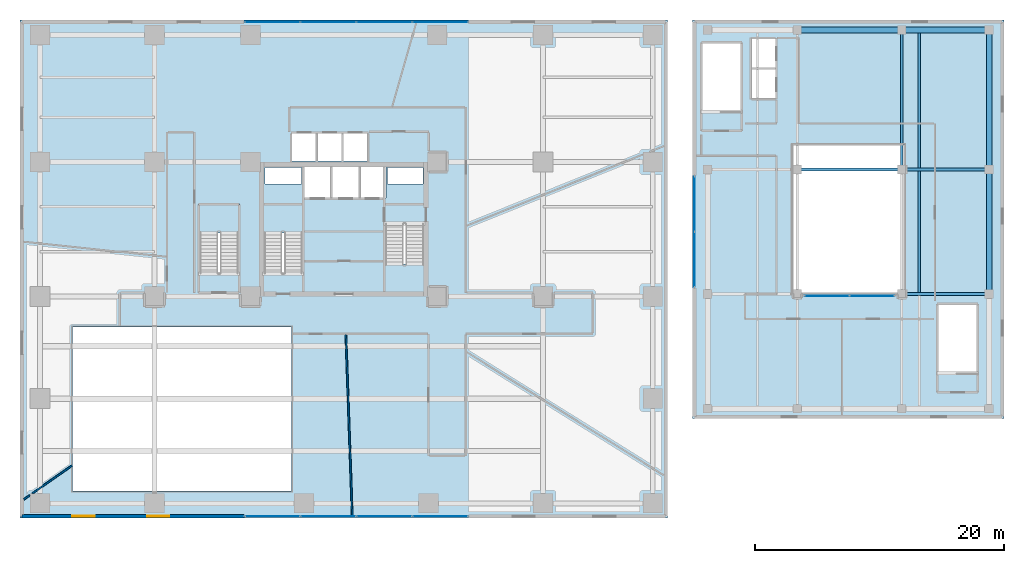
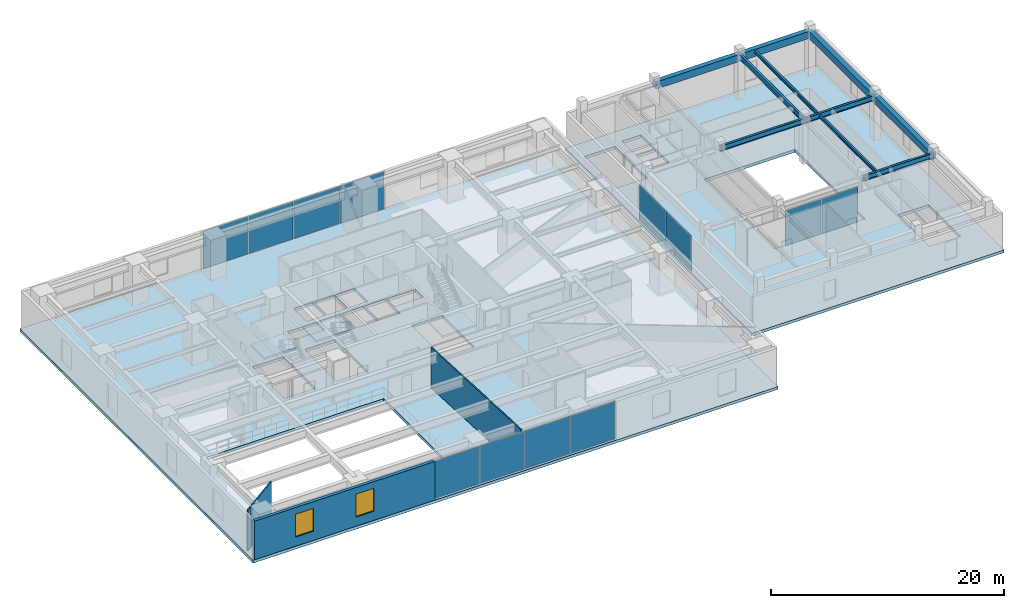
# One storey, part 16 of 25: 12 plates, 10 beams, 5 slabs, 4 walls, 2 windows, 2 openings, 7 elements without a shape of their own.
"""IFC4 building model written with IfcOpenShell, lengths in metres."""

from ifc_helpers import new_model, si_unit, direction, frame, frame_2d, origin, origin_2d, place, context, subcontext, project, spatial, polyline, rectangle, i_section, outline, extrude, source, transform, mapped, material, layer, layer_set, material_profile, profile_set, type_object, type_shapes, element, fill, aggregate, save


model = new_model("IFC4")

# Units and contexts
model_context = context("Model", 3, precision=1e-05, world=origin(), true_north=direction((0.0, 1.0)))
body_context = subcontext(model_context, "Body", "Model", "MODEL_VIEW")
ifc_project = project(units=[si_unit("LENGTHUNIT", "METRE"), si_unit("AREAUNIT", "SQUARE_METRE"), si_unit("VOLUMEUNIT", "CUBIC_METRE"), si_unit("PLANEANGLEUNIT", "RADIAN"), si_unit("MASSUNIT", "GRAM", prefix="KILO")], contexts=[model_context])

# Site, building, storey
site_placement = place(None, origin())
site = spatial("IfcSite", under=ifc_project, at=site_placement, CompositionType="ELEMENT")
building_placement = place(site_placement, origin())
building = spatial("IfcBuilding", under=site, at=building_placement, Name="Talar Marvaseh", CompositionType="ELEMENT")
storey_placement = place(building_placement, frame((0.0, 0.0, 14.39990234375)))
storey = spatial("IfcBuildingStorey", under=building, at=storey_placement, Name="L03", CompositionType="ELEMENT", Elevation=14.39990234375)

# Beams
ifc_material_1 = material(Name="Concrete C40/50", Category="concrete")
ifc_material_profile_1 = material_profile(ifc_material_1, rectangle(XDim=0.449951171875, YDim=0.75, at=origin_2d()), Name="RC450x750")
ifc_profile_set_1 = profile_set([ifc_material_profile_1], Name="Concrete C40/50")
beam_type_1 = type_object("IfcBeamType", Name="Market Concrete Edge Beam RC450x750", PredefinedType="SPANDREL", material=ifc_profile_set_1)
beam_1_placement = place(storey_placement, frame((62.39990234375, 47.199951171875, 4.22509765625), z_axis=(1.0, 0.0, 0.0), x_axis=(0.0, 1.0, 0.0)))
element("IfcBeam", 1, at=beam_1_placement, inside=storey, type_object=beam_type_1, Name="L03 Market Concrete Edge Beam RC450x750", PredefinedType="SPANDREL", context=body_context, shape_type="SweptSolid", body=[
    extrude(rectangle(XDim=0.449951171875, YDim=0.75, at=origin_2d()), origin(), (0.0, 0.0, 1.0), 8.400146484375),
])
beam_2_placement = place(storey_placement, frame((70.800048828125, 47.199951171875, 4.22509765625), z_axis=(1.0, 0.0, 0.0), x_axis=(0.0, 1.0, 0.0)))
element("IfcBeam", 2, at=beam_2_placement, inside=storey, type_object=beam_type_1, Name="L03 Market Concrete Edge Beam RC450x750", PredefinedType="SPANDREL", context=body_context, shape_type="SweptSolid", body=[
    extrude(rectangle(XDim=0.449951171875, YDim=0.75, at=origin_2d()), origin(), (0.0, 0.0, 1.0), 7.0),
])
beam_3_placement = place(storey_placement, frame((77.800048828125, 26.0, 4.22509765625), z_axis=(0.0, 1.0, 0.0), x_axis=(-1.0, 0.0, 0.0)))
element("IfcBeam", 3, at=beam_3_placement, inside=storey, type_object=beam_type_1, Name="L03 Market Concrete Edge Beam RC450x750", PredefinedType="SPANDREL", context=body_context, shape_type="SweptSolid", body=[
    extrude(rectangle(XDim=0.449951171875, YDim=0.75, at=origin_2d()), origin(), (0.0, 0.0, 1.0), 10.0),
])
beam_4_placement = place(storey_placement, frame((77.800048828125, 36.0, 4.22509765625), z_axis=(0.0, 1.0, 0.0), x_axis=(-1.0, 0.0, 0.0)))
element("IfcBeam", 4, at=beam_4_placement, inside=storey, type_object=beam_type_1, Name="L03 Market Concrete Edge Beam RC450x750", PredefinedType="SPANDREL", context=body_context, shape_type="SweptSolid", body=[
    extrude(rectangle(XDim=0.449951171875, YDim=0.75, at=origin_2d()), origin(), (0.0, 0.0, 1.0), 11.199951171875),
])
ifc_material_2 = material(Name="Steel S355", Category="steel")
ifc_material_profile_2 = material_profile(ifc_material_2, i_section(OverallWidth=0.2119140625, OverallDepth=0.5439453125, WebThickness=0.01318359375, FlangeThickness=0.021240234375, at=origin_2d()), Name="W530x123")
ifc_profile_set_2 = profile_set([ifc_material_profile_2], Name="Steel S355")
beam_type_2 = type_object("IfcBeamType", Name="Market Hall Primary Girder W530x123", PredefinedType="BEAM", material=ifc_profile_set_2)
beam_5_placement = place(storey_placement, frame((70.800048828125, 26.0, 4.328125), z_axis=(1.0, 0.0, 0.0), x_axis=(0.0, 1.0, 0.0)))
element("IfcBeam", 5, at=beam_5_placement, inside=storey, type_object=beam_type_2, Name="L03 Market Hall Primary Girder W530x123", PredefinedType="BEAM", context=body_context, shape_type="SweptSolid", body=[
    extrude(i_section(OverallWidth=0.2119140625, OverallDepth=0.5439453125, WebThickness=0.01318359375, FlangeThickness=0.021240234375, at=origin_2d()), origin(), (0.0, 0.0, 1.0), 7.0),
])
beam_6_placement = place(storey_placement, frame((62.39990234375, 36.0, 4.328125), z_axis=(1.0, 0.0, 0.0), x_axis=(0.0, 1.0, 0.0)))
element("IfcBeam", 6, at=beam_6_placement, inside=storey, type_object=beam_type_2, Name="L03 Market Hall Primary Girder W530x123", PredefinedType="BEAM", context=body_context, shape_type="SweptSolid", body=[
    extrude(i_section(OverallWidth=0.2119140625, OverallDepth=0.5439453125, WebThickness=0.01318359375, FlangeThickness=0.021240234375, at=origin_2d()), origin(), (0.0, 0.0, 1.0), 8.400146484375),
])
beam_7_placement = place(storey_placement, frame((70.800048828125, 36.0, 4.328125), z_axis=(1.0, 0.0, 0.0), x_axis=(0.0, 1.0, 0.0)))
element("IfcBeam", 7, at=beam_7_placement, inside=storey, type_object=beam_type_2, Name="L03 Market Hall Primary Girder W530x123", PredefinedType="BEAM", context=body_context, shape_type="SweptSolid", body=[
    extrude(i_section(OverallWidth=0.2119140625, OverallDepth=0.5439453125, WebThickness=0.01318359375, FlangeThickness=0.021240234375, at=origin_2d()), origin(), (0.0, 0.0, 1.0), 7.0),
])
beam_8_placement = place(storey_placement, frame((70.800048828125, 36.0, 4.328125), z_axis=(0.0, 1.0, 0.0), x_axis=(-1.0, 0.0, 0.0)))
element("IfcBeam", 8, at=beam_8_placement, inside=storey, type_object=beam_type_2, Name="L03 Market Hall Primary Girder W530x123", PredefinedType="BEAM", context=body_context, shape_type="SweptSolid", body=[
    extrude(i_section(OverallWidth=0.2119140625, OverallDepth=0.5439453125, WebThickness=0.01318359375, FlangeThickness=0.021240234375, at=origin_2d()), origin(), (0.0, 0.0, 1.0), 11.199951171875),
])
ifc_material_profile_3 = material_profile(ifc_material_2, i_section(OverallWidth=0.172119140625, OverallDepth=0.35791015625, WebThickness=0.0078125, FlangeThickness=0.01318359375, at=origin_2d()), Name="W360x57")
ifc_profile_set_3 = profile_set([ifc_material_profile_3], Name="Steel S355")
beam_type_3 = type_object("IfcBeamType", Name="Zone 2 Secondary Floor Joist W360x57", PredefinedType="JOIST", material=ifc_profile_set_3)
beam_9_placement = place(storey_placement, frame((72.199951171875, 26.10498046875, 4.421142578125), z_axis=(0.0, 1.0, 0.0), x_axis=(-1.0, 0.0, 0.0)))
element("IfcBeam", 9, at=beam_9_placement, inside=storey, type_object=beam_type_3, Name="L03 Zone 2 Secondary Floor Joist W360x57", PredefinedType="JOIST", context=body_context, shape_type="SweptSolid", body=[
    extrude(i_section(OverallWidth=0.172119140625, OverallDepth=0.35791015625, WebThickness=0.0078125, FlangeThickness=0.01318359375, at=origin_2d()), origin(), (0.0, 0.0, 1.0), 9.7900390625),
])
beam_10_placement = place(storey_placement, frame((72.199951171875, 36.10498046875, 4.421142578125), z_axis=(0.0, 1.0, 0.0), x_axis=(-1.0, 0.0, 0.0)))
element("IfcBeam", 10, at=beam_10_placement, inside=storey, type_object=beam_type_3, Name="L03 Zone 2 Secondary Floor Joist W360x57", PredefinedType="JOIST", context=body_context, shape_type="SweptSolid", body=[
    extrude(i_section(OverallWidth=0.172119140625, OverallDepth=0.35791015625, WebThickness=0.0078125, FlangeThickness=0.01318359375, at=origin_2d()), origin(), (0.0, 0.0, 1.0), 10.875),
])

# Stair, slab
stair_type = type_object("IfcStairType", Name="Reinforced Concrete Half-Turn Exit Stair Type A", PredefinedType="HALF_TURN_STAIR", material=ifc_material_1)
stair_1_placement = place(storey_placement, origin())
stair_1 = element("IfcStair", 11, at=stair_1_placement, inside=storey, type_object=stair_type, Name="L03 Tower West Core Exit Stair", PredefinedType="HALF_TURN_STAIR")
ifc_layer_1 = layer(ifc_material_1, 0.199951171875)
ifc_layer_set_1 = layer_set([ifc_layer_1], Name="Concrete C40/50")
slab_type_1 = type_object("IfcSlabType", Name="Reinforced Concrete Stair Half-Landing Slab 200", PredefinedType="LANDING", material=ifc_layer_set_1)
slab_1_placement = place(storey_placement, frame((0.0, 0.0, 2.10009765625)))
slab_1 = element("IfcSlab", 12, at=slab_1_placement, type_object=slab_type_1, Name="ST-1 landing 1", PredefinedType="LANDING", context=body_context, shape_type="SweptSolid", body=[
    extrude(outline(polyline([(22.780029296875, 30.889892578125), (22.780029296875, 33.219970703125), (19.47998046875, 33.219970703125), (19.47998046875, 30.889892578125), (22.780029296875, 30.889892578125)])), origin(), (0.0, 0.0, 1.0), 0.199951171875),
])
aggregate(stair_1, [slab_1])

stair_2_placement = place(storey_placement, origin())
stair_2 = element("IfcStair", 13, at=stair_2_placement, inside=storey, type_object=stair_type, Name="L03 Tower East Core Exit Stair", PredefinedType="HALF_TURN_STAIR")
slab_2_placement = place(storey_placement, frame((0.0, 0.0, 2.10009765625)))
slab_2 = element("IfcSlab", 14, at=slab_2_placement, type_object=slab_type_1, Name="ST-2 landing 1", PredefinedType="LANDING", context=body_context, shape_type="SweptSolid", body=[
    extrude(outline(polyline([(29.219970703125, 28.409912109375), (29.219970703125, 26.080078125), (32.52001953125, 26.080078125), (32.52001953125, 28.409912109375), (29.219970703125, 28.409912109375)])), origin(), (0.0, 0.0, 1.0), 0.199951171875),
])
aggregate(stair_2, [slab_2])

stair_3_placement = place(storey_placement, origin())
stair_3 = element("IfcStair", 15, at=stair_3_placement, inside=storey, type_object=stair_type, Name="L03 Museum & Podium Auxiliary Exit Stair", PredefinedType="HALF_TURN_STAIR")
slab_3_placement = place(storey_placement, frame((0.0, 0.0, 2.10009765625)))
slab_3 = element("IfcSlab", 16, at=slab_3_placement, type_object=slab_type_1, Name="ST-3 landing 1", PredefinedType="LANDING", context=body_context, shape_type="SweptSolid", body=[
    extrude(outline(polyline([(17.6201171875, 30.889892578125), (17.6201171875, 33.219970703125), (14.320068359375, 33.219970703125), (14.320068359375, 30.889892578125), (17.6201171875, 30.889892578125)])), origin(), (0.0, 0.0, 1.0), 0.199951171875),
])
aggregate(stair_3, [slab_3])

# Slabs
ifc_material_3 = material(Name="Concrete C50/60", Category="concrete")
ifc_layer_2 = layer(ifc_material_3, 0.300048828125)
ifc_layer_set_2 = layer_set([ifc_layer_2], Name="Concrete C50/60")
slab_type_2 = type_object("IfcSlabType", Name="Structural Suspended Floor Slab 300", PredefinedType="FLOOR", material=ifc_layer_set_2)
slab_4_placement = place(storey_placement, frame((0.0, 0.0, -0.2998046875)))
element("IfcSlab", 17, at=slab_4_placement, inside=storey, type_object=slab_type_2, Name="L03 Tower Station Podium Floor Slab", PredefinedType="FLOOR", context=body_context, shape_type="SweptSolid", body=[
    extrude(outline(polyline([(0.0, 8.0), (52.0, 8.0), (52.0, 48.0), (0.0, 48.0), (0.0, 8.0)]), holes=[polyline([(22.659912109375, 27.64990234375), (22.659912109375, 33.10009765625), (19.60009765625, 33.10009765625), (19.60009765625, 27.64990234375), (22.659912109375, 27.64990234375)]), polyline([(29.340087890625, 31.64990234375), (29.340087890625, 26.199951171875), (32.39990234375, 26.199951171875), (32.39990234375, 31.64990234375), (29.340087890625, 31.64990234375)]), polyline([(17.5, 27.64990234375), (17.5, 33.10009765625), (14.43994140625, 33.10009765625), (14.43994140625, 27.64990234375), (17.5, 27.64990234375)]), polyline([(22.800048828125, 33.719970703125), (24.93994140625, 33.719970703125), (24.93994140625, 36.179931640625), (22.800048828125, 36.179931640625), (22.800048828125, 33.719970703125)]), polyline([(25.080078125, 33.719970703125), (27.219970703125, 33.719970703125), (27.219970703125, 36.179931640625), (25.080078125, 36.179931640625), (25.080078125, 33.719970703125)]), polyline([(27.360107421875, 33.719970703125), (29.39990234375, 33.719970703125), (29.39990234375, 36.179931640625), (27.360107421875, 36.179931640625), (27.360107421875, 33.719970703125)]), polyline([(21.840087890625, 36.659912109375), (23.760009765625, 36.659912109375), (23.760009765625, 38.8798828125), (21.840087890625, 38.8798828125), (21.840087890625, 36.659912109375)]), polyline([(23.89990234375, 36.659912109375), (25.820068359375, 36.659912109375), (25.820068359375, 38.8798828125), (23.89990234375, 38.8798828125), (23.89990234375, 36.659912109375)]), polyline([(25.9599609375, 36.659912109375), (27.8798828125, 36.659912109375), (27.8798828125, 38.8798828125), (25.9599609375, 38.8798828125), (25.9599609375, 36.659912109375)]), polyline([(19.659912109375, 34.840087890625), (22.60009765625, 34.840087890625), (22.60009765625, 36.139892578125), (19.659912109375, 36.139892578125), (19.659912109375, 34.840087890625)]), polyline([(29.52001953125, 34.840087890625), (32.340087890625, 34.840087890625), (32.340087890625, 36.139892578125), (29.52001953125, 36.139892578125), (29.52001953125, 34.840087890625)]), polyline([(4.199951171875, 10.199951171875), (21.800048828125, 10.199951171875), (21.800048828125, 23.35009765625), (4.199951171875, 23.35009765625), (4.199951171875, 10.199951171875)])]), origin(), (0.0, 0.0, 1.0), 0.2998046875),
])
slab_5_placement = place(storey_placement, frame((0.0, 0.0, -0.2998046875)))
element("IfcSlab", 18, at=slab_5_placement, inside=storey, type_object=slab_type_2, Name="L03 Market Hall Bazaar Floor Slab", PredefinedType="FLOOR", context=body_context, shape_type="SweptSolid", body=[
    extrude(outline(polyline([(54.0, 16.0), (79.0, 16.0), (79.0, 48.0), (54.0, 48.0), (54.0, 16.0)]), holes=[polyline([(57.860107421875, 40.64990234375), (57.860107421875, 46.10009765625), (54.800048828125, 46.10009765625), (54.800048828125, 40.64990234375), (57.860107421875, 40.64990234375)]), polyline([(76.800048828125, 19.64990234375), (76.800048828125, 25.10009765625), (73.739990234375, 25.10009765625), (73.739990234375, 19.64990234375), (76.800048828125, 19.64990234375)]), polyline([(58.739990234375, 44.179931640625), (60.659912109375, 44.179931640625), (60.659912109375, 46.47998046875), (58.739990234375, 46.47998046875), (58.739990234375, 44.179931640625)]), polyline([(58.739990234375, 41.719970703125), (60.659912109375, 41.719970703125), (60.659912109375, 44.02001953125), (58.739990234375, 44.02001953125), (58.739990234375, 41.719970703125)]), polyline([(62.0, 26.0), (71.0, 26.0), (71.0, 38.0), (62.0, 38.0), (62.0, 26.0)])]), origin(), (0.0, 0.0, 1.0), 0.2998046875),
])

# Curtain wall, plates
ifc_material_4 = material(Name="Architectural Aluminium", Category="aluminium")
ifc_layer_3 = layer(ifc_material_4, 0.25)
ifc_layer_set_3 = layer_set([ifc_layer_3], Name="Architectural Aluminium")
curtain_wall_type_1 = type_object("IfcCurtainWallType", Name="Station Podium Monumental Iwan Curtain Wall", PredefinedType="NOTDEFINED", material=ifc_layer_set_3)
curtain_wall_1_placement = place(storey_placement, origin())
curtain_wall_1 = element("IfcCurtainWall", 19, at=curtain_wall_1_placement, inside=storey, type_object=curtain_wall_type_1, Name="L03 Station Podium Monumental Iwan Curtain Wall", PredefinedType="NOTDEFINED")
ifc_material_5 = material(Name="Laminated Low-E Solar Glass", Category="glass")
ifc_layer_4 = layer(ifc_material_5, 0.028076171875)
ifc_layer_set_4 = layer_set([ifc_layer_4], Name="Laminated Low-E Solar Glass")
plate_type = type_object("IfcPlateType", Name="Double-Glazed Low-E Vision Curtain Panel 28", PredefinedType="CURTAIN_PANEL", material=ifc_layer_set_4)
shared_shape_1 = source(origin(), body_context, "Body", "SweptSolid", [
    extrude(rectangle(XDim=4.402587890625, YDim=0.028076171875, at=origin_2d()), origin(), (0.0, 0.0, 1.0), 3.919921875),
])
plate_1_placement = place(storey_placement, frame((33.733642578125, 8.159912109375, 0.065185546875), z_axis=(0.0, 0.0, 1.0), x_axis=(-1.0, 0.0, 0.0)))
plate_1 = element("IfcPlate", 20, at=plate_1_placement, type_object=plate_type, Name="CW-POD panel 1.1", PredefinedType="CURTAIN_PANEL", context=body_context, shape_type="MappedRepresentation", body=[
    mapped(shared_shape_1, transform((0.0, 0.0, 0.0), x_axis=(1.0, 0.0, 0.0), y_axis=(0.0, 1.0, 0.0), z_axis=(0.0, 0.0, 1.0), scale=1.0)),
])
plate_2_placement = place(storey_placement, frame((20.266357421875, 8.159912109375, 0.065185546875), z_axis=(0.0, 0.0, 1.0), x_axis=(-1.0, 0.0, 0.0)))
plate_2 = element("IfcPlate", 21, at=plate_2_placement, type_object=plate_type, Name="CW-POD panel 4.1", PredefinedType="CURTAIN_PANEL", context=body_context, shape_type="MappedRepresentation", body=[
    mapped(shared_shape_1, transform((0.0, 0.0, 0.0), x_axis=(1.0, 0.0, 0.0), y_axis=(0.0, 1.0, 0.0), z_axis=(0.0, 0.0, 1.0), scale=1.0)),
])

curtain_wall_2_placement = place(storey_placement, origin())
curtain_wall_2 = element("IfcCurtainWall", 22, at=curtain_wall_2_placement, inside=storey, type_object=curtain_wall_type_1, Name="L03 Station Podium Monumental Iwan Curtain Wall", PredefinedType="NOTDEFINED")
plate_3_placement = place(storey_placement, frame((20.266357421875, 47.840087890625, 0.065185546875), z_axis=(0.0, 0.0, 1.0), x_axis=(1.0, 0.0, 0.0)))
plate_3 = element("IfcPlate", 23, at=plate_3_placement, type_object=plate_type, Name="CW-POD panel 1.1", PredefinedType="CURTAIN_PANEL", context=body_context, shape_type="MappedRepresentation", body=[
    mapped(shared_shape_1, transform((0.0, 0.0, 0.0), x_axis=(1.0, 0.0, 0.0), y_axis=(0.0, 1.0, 0.0), z_axis=(0.0, 0.0, 1.0), scale=1.0)),
])
plate_4_placement = place(storey_placement, frame((33.733642578125, 47.840087890625, 0.065185546875), z_axis=(0.0, 0.0, 1.0), x_axis=(1.0, 0.0, 0.0)))
plate_4 = element("IfcPlate", 24, at=plate_4_placement, type_object=plate_type, Name="CW-POD panel 4.1", PredefinedType="CURTAIN_PANEL", context=body_context, shape_type="MappedRepresentation", body=[
    mapped(shared_shape_1, transform((0.0, 0.0, 0.0), x_axis=(1.0, 0.0, 0.0), y_axis=(0.0, 1.0, 0.0), z_axis=(0.0, 0.0, 1.0), scale=1.0)),
])

# Plate
shared_shape_2 = source(origin(), body_context, "Body", "SweptSolid", [
    extrude(rectangle(XDim=4.43505859375, YDim=0.028076171875, at=origin_2d()), origin(), (0.0, 0.0, 1.0), 3.919921875),
])
plate_5_placement = place(storey_placement, frame((29.25, 8.159912109375, 0.065185546875), z_axis=(0.0, 0.0, 1.0), x_axis=(-1.0, 0.0, 0.0)))
plate_5 = element("IfcPlate", 25, at=plate_5_placement, type_object=plate_type, Name="CW-POD panel 2.1", PredefinedType="CURTAIN_PANEL", context=body_context, shape_type="MappedRepresentation", body=[
    mapped(shared_shape_2, transform((0.0, 0.0, 0.0), x_axis=(1.0, 0.0, 0.0), y_axis=(0.0, 1.0, 0.0), z_axis=(0.0, 0.0, 1.0), scale=1.0)),
])

plate_6_placement = place(storey_placement, frame((24.75, 8.159912109375, 0.065185546875), z_axis=(0.0, 0.0, 1.0), x_axis=(-1.0, 0.0, 0.0)))
plate_6 = element("IfcPlate", 26, at=plate_6_placement, type_object=plate_type, Name="CW-POD panel 3.1", PredefinedType="CURTAIN_PANEL", context=body_context, shape_type="MappedRepresentation", body=[
    mapped(shared_shape_2, transform((0.0, 0.0, 0.0), x_axis=(1.0, 0.0, 0.0), y_axis=(0.0, 1.0, 0.0), z_axis=(0.0, 0.0, 1.0), scale=1.0)),
])

aggregate(curtain_wall_1, [plate_1, plate_5, plate_6, plate_2])

plate_7_placement = place(storey_placement, frame((24.75, 47.840087890625, 0.065185546875), z_axis=(0.0, 0.0, 1.0), x_axis=(1.0, 0.0, 0.0)))
plate_7 = element("IfcPlate", 27, at=plate_7_placement, type_object=plate_type, Name="CW-POD panel 2.1", PredefinedType="CURTAIN_PANEL", context=body_context, shape_type="MappedRepresentation", body=[
    mapped(shared_shape_2, transform((0.0, 0.0, 0.0), x_axis=(1.0, 0.0, 0.0), y_axis=(0.0, 1.0, 0.0), z_axis=(0.0, 0.0, 1.0), scale=1.0)),
])

plate_8_placement = place(storey_placement, frame((29.25, 47.840087890625, 0.065185546875), z_axis=(0.0, 0.0, 1.0), x_axis=(1.0, 0.0, 0.0)))
plate_8 = element("IfcPlate", 28, at=plate_8_placement, type_object=plate_type, Name="CW-POD panel 3.1", PredefinedType="CURTAIN_PANEL", context=body_context, shape_type="MappedRepresentation", body=[
    mapped(shared_shape_2, transform((0.0, 0.0, 0.0), x_axis=(1.0, 0.0, 0.0), y_axis=(0.0, 1.0, 0.0), z_axis=(0.0, 0.0, 1.0), scale=1.0)),
])

aggregate(curtain_wall_2, [plate_3, plate_7, plate_8, plate_4])

# Curtain wall, plates
ifc_layer_5 = layer(ifc_material_4, 0.169921875)
ifc_layer_set_5 = layer_set([ifc_layer_5], Name="Architectural Aluminium")
curtain_wall_type_2 = type_object("IfcCurtainWallType", Name="Market Hall Clerestory and Courtyard Curtain Wall", PredefinedType="NOTDEFINED", material=ifc_layer_set_5)
curtain_wall_3_placement = place(storey_placement, origin())
curtain_wall_3 = element("IfcCurtainWall", 29, at=curtain_wall_3_placement, inside=storey, type_object=curtain_wall_type_2, Name="L03 Market Hall Clerestory and Courtyard Curtain Wall", PredefinedType="NOTDEFINED")
shared_shape_3 = source(origin(), body_context, "Body", "SweptSolid", [
    extrude(rectangle(XDim=4.402587890625, YDim=0.028076171875, at=origin_2d()), origin(), (0.0, 0.0, 1.0), 3.669921875),
])
plate_9_placement = place(storey_placement, frame((54.14990234375, 28.766357421875, 0.065185546875), z_axis=(0.0, 0.0, 1.0), x_axis=(0.0, 1.0, 0.0)))
plate_9 = element("IfcPlate", 30, at=plate_9_placement, type_object=plate_type, Name="CW-MKT panel 1.1", PredefinedType="CURTAIN_PANEL", context=body_context, shape_type="MappedRepresentation", body=[
    mapped(shared_shape_3, transform((0.0, 0.0, 0.0), x_axis=(1.0, 0.0, 0.0), y_axis=(0.0, 1.0, 0.0), z_axis=(0.0, 0.0, 1.0), scale=1.0)),
])
plate_10_placement = place(storey_placement, frame((54.14990234375, 33.233642578125, 0.065185546875), z_axis=(0.0, 0.0, 1.0), x_axis=(0.0, 1.0, 0.0)))
plate_10 = element("IfcPlate", 31, at=plate_10_placement, type_object=plate_type, Name="CW-MKT panel 2.1", PredefinedType="CURTAIN_PANEL", context=body_context, shape_type="MappedRepresentation", body=[
    mapped(shared_shape_3, transform((0.0, 0.0, 0.0), x_axis=(1.0, 0.0, 0.0), y_axis=(0.0, 1.0, 0.0), z_axis=(0.0, 0.0, 1.0), scale=1.0)),
])
aggregate(curtain_wall_3, [plate_9, plate_10])

curtain_wall_4_placement = place(storey_placement, origin())
curtain_wall_4 = element("IfcCurtainWall", 32, at=curtain_wall_4_placement, inside=storey, type_object=curtain_wall_type_2, Name="L03 Market Hall Clerestory and Courtyard Curtain Wall", PredefinedType="NOTDEFINED")
shared_shape_4 = source(origin(), body_context, "Body", "SweptSolid", [
    extrude(rectangle(XDim=3.552490234375, YDim=0.028076171875, at=origin_2d()), origin(), (0.0, 0.0, 1.0), 3.669921875),
])
type_shapes(plate_type, [shared_shape_1, shared_shape_2, shared_shape_3, shared_shape_4])
plate_11_placement = place(storey_placement, frame((64.791259765625, 25.85009765625, 0.065185546875), z_axis=(0.0, 0.0, 1.0), x_axis=(1.0, 0.0, 0.0)))
plate_11 = element("IfcPlate", 33, at=plate_11_placement, type_object=plate_type, Name="CW-MKT panel 1.1", PredefinedType="CURTAIN_PANEL", context=body_context, shape_type="MappedRepresentation", body=[
    mapped(shared_shape_4, transform((0.0, 0.0, 0.0), x_axis=(1.0, 0.0, 0.0), y_axis=(0.0, 1.0, 0.0), z_axis=(0.0, 0.0, 1.0), scale=1.0)),
])
plate_12_placement = place(storey_placement, frame((68.40869140625, 25.85009765625, 0.065185546875), z_axis=(0.0, 0.0, 1.0), x_axis=(1.0, 0.0, 0.0)))
plate_12 = element("IfcPlate", 34, at=plate_12_placement, type_object=plate_type, Name="CW-MKT panel 2.1", PredefinedType="CURTAIN_PANEL", context=body_context, shape_type="MappedRepresentation", body=[
    mapped(shared_shape_4, transform((0.0, 0.0, 0.0), x_axis=(1.0, 0.0, 0.0), y_axis=(0.0, 1.0, 0.0), z_axis=(0.0, 0.0, 1.0), scale=1.0)),
])
aggregate(curtain_wall_4, [plate_11, plate_12])

# Wall, openings, windows
ifc_material_6 = material(Name="Precast concrete C45/55", Category="concrete")
ifc_layer_6 = layer(ifc_material_6, 0.31005859375)
ifc_layer_set_6 = layer_set([ifc_layer_6], Name="Precast concrete C45/55")
wall_type_1 = type_object("IfcWallType", Name="Architectural Precast Limestone Podium Facade Wall 310", PredefinedType="SOLIDWALL", material=ifc_layer_set_6)
wall_1_placement = place(storey_placement, frame((18.0, 8.159912109375, 0.0), z_axis=(0.0, 0.0, 1.0), x_axis=(-1.0, 0.0, 0.0)))
wall_1 = element("IfcWall", 35, at=wall_1_placement, inside=storey, type_object=wall_type_1, Name="L03 Podium South-West Facade Wall", PredefinedType="SOLIDWALL", context=body_context, shape_type="SweptSolid", body=[
    extrude(rectangle(XDim=17.840087890625, YDim=0.31005859375, at=frame_2d((8.919921875, 0.0))), origin(), (0.0, 0.0, 1.0), 4.050048828125),
])
opening_1_placement = place(wall_1_placement, frame((6.0, 0.0, 0.949951171875)))
opening_1 = element("IfcOpeningElement", 36, at=opening_1_placement, cuts=wall_1, Name="Opening WN-POD18", PredefinedType="OPENING", context=body_context, shape_type="SweptSolid", body=[
    extrude(rectangle(XDim=1.800048828125, YDim=2.39990234375, at=frame_2d((0.89990234375, 1.199951171875))), frame((0.0, 0.1650390625, 0.0), z_axis=(0.0, -1.0, 0.0), x_axis=(1.0, 0.0, 0.0)), (0.0, 0.0, 1.0), 0.330078125),
])
opening_2_placement = place(wall_1_placement, frame((12.0, 0.0, 0.949951171875)))
opening_2 = element("IfcOpeningElement", 37, at=opening_2_placement, cuts=wall_1, Name="Opening WN-POD18", PredefinedType="OPENING", context=body_context, shape_type="SweptSolid", body=[
    extrude(rectangle(XDim=1.800048828125, YDim=2.39990234375, at=frame_2d((0.89990234375, 1.199951171875))), frame((0.0, 0.1650390625, 0.0), z_axis=(0.0, -1.0, 0.0), x_axis=(1.0, 0.0, 0.0)), (0.0, 0.0, 1.0), 0.330078125),
])
window_type = type_object("IfcWindowType", Name="Podium Recessed Punched Solar Window 1800x2400", PartitioningType="SINGLE_PANEL", PredefinedType="WINDOW", material=ifc_material_5)
shared_shape_5 = source(origin(), body_context, "Body", "SweptSolid", [
    extrude(rectangle(XDim=1.800048828125, YDim=2.39990234375, at=frame_2d((0.89990234375, 1.199951171875))), frame((0.0, 0.030029296875, 0.0), z_axis=(0.0, -1.0, 0.0), x_axis=(1.0, 0.0, 0.0)), (0.0, 0.0, 1.0), 0.06005859375),
])
type_shapes(window_type, [shared_shape_5])
window_1_placement = place(opening_1_placement, origin())
window_1 = element("IfcWindow", 38, at=window_1_placement, inside=storey, type_object=window_type, Name="L03 Podium Solar Window", OverallHeight=2.39990234375, OverallWidth=1.800048828125, PartitioningType="SINGLE_PANEL", PredefinedType="WINDOW", context=body_context, shape_type="MappedRepresentation", body=[
    mapped(shared_shape_5, transform((0.0, 0.0, 0.0), x_axis=(1.0, 0.0, 0.0), y_axis=(0.0, 1.0, 0.0), z_axis=(0.0, 0.0, 1.0), scale=1.0)),
])
fill(opening_1, window_1)
window_2_placement = place(opening_2_placement, origin())
window_2 = element("IfcWindow", 39, at=window_2_placement, inside=storey, type_object=window_type, Name="L03 Podium Solar Window", OverallHeight=2.39990234375, OverallWidth=1.800048828125, PartitioningType="SINGLE_PANEL", PredefinedType="WINDOW", context=body_context, shape_type="MappedRepresentation", body=[
    mapped(shared_shape_5, transform((0.0, 0.0, 0.0), x_axis=(1.0, 0.0, 0.0), y_axis=(0.0, 1.0, 0.0), z_axis=(0.0, 0.0, 1.0), scale=1.0)),
])
fill(opening_2, window_2)

# Walls
ifc_material_7 = material(Name="Gypsum Board Partition Assembly")
ifc_layer_7 = layer(ifc_material_7, 0.1201171875)
ifc_layer_set_7 = layer_set([ifc_layer_7], Name="Gypsum Board Partition Assembly")
wall_type_2 = type_object("IfcWallType", Name="Demountable Studio Room Partition 120", PredefinedType="PARTITIONING", material=ifc_layer_set_7)
wall_2_placement = place(storey_placement, frame((4.199951171875, 12.239990234375, 0.0), z_axis=(0.0, 0.0, 1.0), x_axis=(-0.819105597065, -0.573642764146, 0.0)))
element("IfcWall", 40, at=wall_2_placement, inside=storey, type_object=wall_type_2, Name="L03 Interior Partition Wall", PredefinedType="PARTITIONING", context=body_context, shape_type="SweptSolid", body=[
    extrude(rectangle(XDim=3.90478515625, YDim=0.1201171875, at=frame_2d((1.952392578125, 0.0))), origin(), (0.0, 0.0, 1.0), 4.25),
])
wall_3_placement = place(storey_placement, frame((0.7900390625, 9.840087890625, 0.0), z_axis=(0.0, 0.0, 1.0), x_axis=(-0.823968545399, -0.566635540885, 0.0)))
element("IfcWall", 41, at=wall_3_placement, inside=storey, type_object=wall_type_2, Name="L03 Interior Partition Wall", PredefinedType="PARTITIONING", context=body_context, shape_type="SweptSolid", body=[
    extrude(rectangle(XDim=0.58251953125, YDim=0.1201171875, at=frame_2d((0.291259765625, 0.0))), origin(), (0.0, 0.0, 1.0), 4.25),
])
wall_4_placement = place(storey_placement, frame((26.162353515625, 22.735107421875, 0.0), z_axis=(0.0, 0.0, 1.0), x_axis=(0.035164573371, -0.99938153514, 0.0)))
element("IfcWall", 42, at=wall_4_placement, inside=storey, type_object=wall_type_2, Name="L03 Interior Partition Wall", PredefinedType="PARTITIONING", context=body_context, shape_type="SweptSolid", body=[
    extrude(rectangle(XDim=14.55908203125, YDim=0.1201171875, at=frame_2d((7.279541015625, 0.0))), origin(), (0.0, 0.0, 1.0), 4.25),
])

save(model, "model.ifc")
